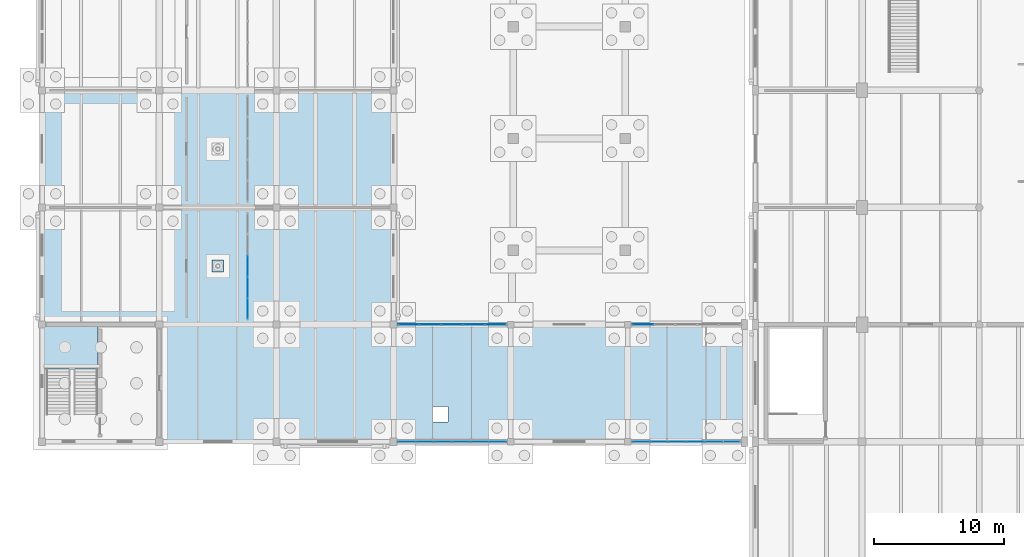
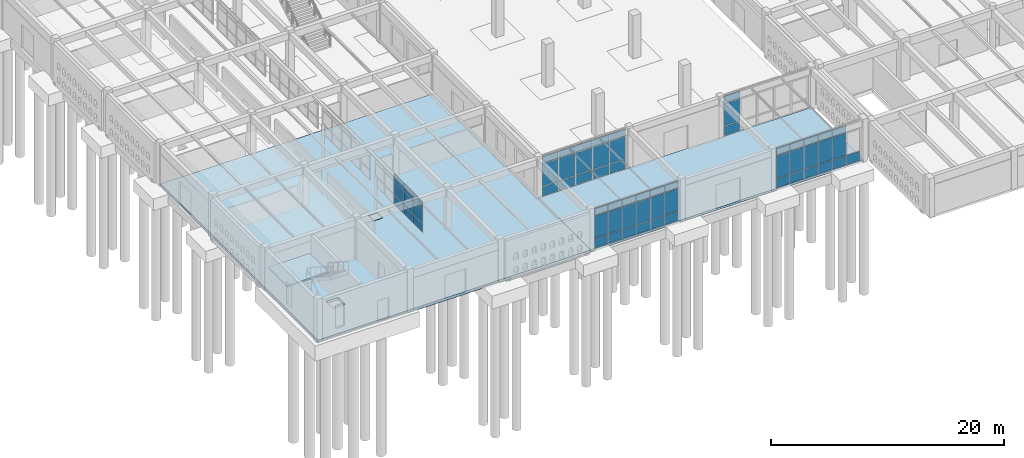
# One storey, part 141 of 186: 62 plates, 3 slabs, 6 elements without a shape of their own.
"""IFC4 building model written with IfcOpenShell, lengths in metres."""

from ifc_helpers import new_model, si_unit, direction, frame, origin, origin_2d, place, context, subcontext, project, spatial, polyline, rectangle, outline, extrude, material, layer, layer_set, type_object, element, aggregate, save


model = new_model("IFC4")

# Units and contexts
model_context = context("Model", 3, precision=1e-05, world=origin(), true_north=direction((0.0, 1.0)))
body_context = subcontext(model_context, "Body", "Model", "MODEL_VIEW")
ifc_project = project(units=[si_unit("LENGTHUNIT", "METRE"), si_unit("AREAUNIT", "SQUARE_METRE"), si_unit("VOLUMEUNIT", "CUBIC_METRE"), si_unit("PLANEANGLEUNIT", "RADIAN"), si_unit("MASSUNIT", "GRAM", prefix="KILO")], contexts=[model_context])

# Site, building, storey
site_placement = place(None, origin())
site = spatial("IfcSite", under=ifc_project, at=site_placement, CompositionType="ELEMENT")
building_placement = place(site_placement, origin())
building = spatial("IfcBuilding", under=site, at=building_placement, Name="Ornek Quay Market", CompositionType="ELEMENT")
storey_placement = place(building_placement, origin())
storey = spatial("IfcBuildingStorey", under=building, at=storey_placement, Name="L00", CompositionType="ELEMENT", Elevation=0.0)

# Plate
ifc_material_1 = material(Name="Steel S355", Category="steel")
ifc_layer_1 = layer(ifc_material_1, 0.89990234375, Name="Steel S355", Category="steel")
ifc_layer_set_1 = layer_set([ifc_layer_1], Name="Steel S355")
plate_type_1 = type_object("IfcPlateType", Name="PL-BASE-900x900x40", PredefinedType="SHEET", material=ifc_layer_set_1)
plate_1_placement = place(storey_placement, frame((13.5, 33.5, -0.0400390625), z_axis=(0.0, 0.0, 1.0), x_axis=(1.0, 0.0, 0.0)))
element("IfcPlate", 1, at=plate_1_placement, inside=storey, type_object=plate_type_1, Name="Column base plate BP-07", PredefinedType="SHEET", context=body_context, shape_type="SweptSolid", body=[
    extrude(rectangle(XDim=0.89990234375, YDim=0.89990234375, at=origin_2d()), origin(), (0.0, 0.0, 1.0), 0.0400390625),
])

# Curtain wall, plates
ifc_material_2 = material(Name="Anodised bronze aluminium and triple low-e glass", Category="aluminium")
ifc_layer_2 = layer(ifc_material_2, 0.179931640625, Name="Anodised bronze aluminium and triple low-e glass", Category="aluminium")
ifc_layer_set_2 = layer_set([ifc_layer_2], Name="Anodised bronze aluminium and triple low-e glass")
curtain_wall_type_1 = type_object("IfcCurtainWallType", Name="CW-CONC-MOD1500", PredefinedType="USERDEFINED", material=ifc_layer_set_2)
curtain_wall_1_placement = place(storey_placement, origin())
curtain_wall_1 = element("IfcCurtainWall", 2, at=curtain_wall_1_placement, inside=storey, type_object=curtain_wall_type_1, Name="Curtain wall CW-134", ObjectType="CURTAIN WALL", PredefinedType="USERDEFINED")
ifc_material_3 = material(Name="Toughened laminated acoustic glass", Category="glass")
ifc_layer_3 = layer(ifc_material_3, 0.01611328125, Name="Toughened laminated acoustic glass", Category="glass")
ifc_layer_set_3 = layer_set([ifc_layer_3], Name="Toughened laminated acoustic glass")
plate_type_2 = type_object("IfcPlateType", Name="PL-CW-INT-16", PredefinedType="CURTAIN_PANEL", material=ifc_layer_set_3)
plate_2_placement = place(storey_placement, frame((15.800048828125, 30.235107421875, 0.06005859375), z_axis=(0.0, 0.0, 1.0), x_axis=(0.0, 1.0, 0.0)))
plate_2 = element("IfcPlate", 3, at=plate_2_placement, type_object=plate_type_2, Name="CW-134 panel 1.1", PredefinedType="CURTAIN_PANEL", context=body_context, shape_type="SweptSolid", body=[
    extrude(rectangle(XDim=1.550048828125, YDim=0.01611328125, at=origin_2d()), origin(), (0.0, 0.0, 1.0), 0.9599609375),
])
plate_3_placement = place(storey_placement, frame((15.800048828125, 30.235107421875, 1.080078125), z_axis=(0.0, 0.0, 1.0), x_axis=(0.0, 1.0, 0.0)))
plate_3 = element("IfcPlate", 4, at=plate_3_placement, type_object=plate_type_2, Name="CW-134 panel 1.2", PredefinedType="CURTAIN_PANEL", context=body_context, shape_type="SweptSolid", body=[
    extrude(rectangle(XDim=1.550048828125, YDim=0.01611328125, at=origin_2d()), origin(), (0.0, 0.0, 1.0), 1.340087890625),
])
plate_4_placement = place(storey_placement, frame((15.800048828125, 30.235107421875, 2.47998046875), z_axis=(0.0, 0.0, 1.0), x_axis=(0.0, 1.0, 0.0)))
plate_4 = element("IfcPlate", 5, at=plate_4_placement, type_object=plate_type_2, Name="CW-134 panel 1.3", PredefinedType="CURTAIN_PANEL", context=body_context, shape_type="SweptSolid", body=[
    extrude(rectangle(XDim=1.550048828125, YDim=0.01611328125, at=origin_2d()), origin(), (0.0, 0.0, 1.0), 0.760009765625),
])
plate_5_placement = place(storey_placement, frame((15.800048828125, 31.860107421875, 0.06005859375), z_axis=(0.0, 0.0, 1.0), x_axis=(0.0, 1.0, 0.0)))
plate_5 = element("IfcPlate", 6, at=plate_5_placement, type_object=plate_type_2, Name="CW-134 panel 2.1", PredefinedType="CURTAIN_PANEL", context=body_context, shape_type="SweptSolid", body=[
    extrude(rectangle(XDim=1.580078125, YDim=0.01611328125, at=origin_2d()), origin(), (0.0, 0.0, 1.0), 0.9599609375),
])
plate_6_placement = place(storey_placement, frame((15.800048828125, 31.860107421875, 1.080078125), z_axis=(0.0, 0.0, 1.0), x_axis=(0.0, 1.0, 0.0)))
plate_6 = element("IfcPlate", 7, at=plate_6_placement, type_object=plate_type_2, Name="CW-134 panel 2.2", PredefinedType="CURTAIN_PANEL", context=body_context, shape_type="SweptSolid", body=[
    extrude(rectangle(XDim=1.580078125, YDim=0.01611328125, at=origin_2d()), origin(), (0.0, 0.0, 1.0), 1.340087890625),
])
plate_7_placement = place(storey_placement, frame((15.800048828125, 31.860107421875, 2.47998046875), z_axis=(0.0, 0.0, 1.0), x_axis=(0.0, 1.0, 0.0)))
plate_7 = element("IfcPlate", 8, at=plate_7_placement, type_object=plate_type_2, Name="CW-134 panel 2.3", PredefinedType="CURTAIN_PANEL", context=body_context, shape_type="SweptSolid", body=[
    extrude(rectangle(XDim=1.580078125, YDim=0.01611328125, at=origin_2d()), origin(), (0.0, 0.0, 1.0), 0.760009765625),
])
plate_8_placement = place(storey_placement, frame((15.800048828125, 33.5, 0.06005859375), z_axis=(0.0, 0.0, 1.0), x_axis=(0.0, 1.0, 0.0)))
plate_8 = element("IfcPlate", 9, at=plate_8_placement, type_object=plate_type_2, Name="CW-134 panel 3.1", PredefinedType="CURTAIN_PANEL", context=body_context, shape_type="SweptSolid", body=[
    extrude(rectangle(XDim=1.580078125, YDim=0.01611328125, at=origin_2d()), origin(), (0.0, 0.0, 1.0), 0.9599609375),
])
plate_9_placement = place(storey_placement, frame((15.800048828125, 33.5, 1.080078125), z_axis=(0.0, 0.0, 1.0), x_axis=(0.0, 1.0, 0.0)))
plate_9 = element("IfcPlate", 10, at=plate_9_placement, type_object=plate_type_2, Name="CW-134 panel 3.2", PredefinedType="CURTAIN_PANEL", context=body_context, shape_type="SweptSolid", body=[
    extrude(rectangle(XDim=1.580078125, YDim=0.01611328125, at=origin_2d()), origin(), (0.0, 0.0, 1.0), 1.340087890625),
])
plate_10_placement = place(storey_placement, frame((15.800048828125, 33.5, 2.47998046875), z_axis=(0.0, 0.0, 1.0), x_axis=(0.0, 1.0, 0.0)))
plate_10 = element("IfcPlate", 11, at=plate_10_placement, type_object=plate_type_2, Name="CW-134 panel 3.3", PredefinedType="CURTAIN_PANEL", context=body_context, shape_type="SweptSolid", body=[
    extrude(rectangle(XDim=1.580078125, YDim=0.01611328125, at=origin_2d()), origin(), (0.0, 0.0, 1.0), 0.760009765625),
])
aggregate(curtain_wall_1, [plate_2, plate_3, plate_4, plate_5, plate_6, plate_7, plate_8, plate_9, plate_10])

curtain_wall_2_placement = place(storey_placement, origin())
curtain_wall_2 = element("IfcCurtainWall", 12, at=curtain_wall_2_placement, inside=storey, type_object=curtain_wall_type_1, Name="Curtain wall CW-008", ObjectType="CURTAIN WALL", PredefinedType="USERDEFINED")
ifc_material_4 = material(Name="Triple insulated low-e glass", Category="glass")
ifc_layer_4 = layer(ifc_material_4, 0.035888671875, Name="Triple insulated low-e glass", Category="glass")
ifc_layer_set_4 = layer_set([ifc_layer_4], Name="Triple insulated low-e glass")
plate_type_3 = type_object("IfcPlateType", Name="PL-CW-TRIPLE-36", PredefinedType="CURTAIN_PANEL", material=ifc_layer_set_4)
plate_11_placement = place(storey_placement, frame((28.014892578125, 20.0, 0.06005859375), z_axis=(0.0, 0.0, 1.0), x_axis=(1.0, 0.0, 0.0)))
plate_11 = element("IfcPlate", 13, at=plate_11_placement, type_object=plate_type_3, Name="CW-008 panel 1.1", PredefinedType="CURTAIN_PANEL", context=body_context, shape_type="SweptSolid", body=[
    extrude(rectangle(XDim=1.31005859375, YDim=0.035888671875, at=origin_2d()), origin(), (0.0, 0.0, 1.0), 0.9599609375),
])
plate_12_placement = place(storey_placement, frame((28.014892578125, 20.0, 1.080078125), z_axis=(0.0, 0.0, 1.0), x_axis=(1.0, 0.0, 0.0)))
plate_12 = element("IfcPlate", 14, at=plate_12_placement, type_object=plate_type_3, Name="CW-008 panel 1.2", PredefinedType="CURTAIN_PANEL", context=body_context, shape_type="SweptSolid", body=[
    extrude(rectangle(XDim=1.31005859375, YDim=0.035888671875, at=origin_2d()), origin(), (0.0, 0.0, 1.0), 2.31005859375),
])
plate_13_placement = place(storey_placement, frame((28.014892578125, 20.0, 3.4501953125), z_axis=(0.0, 0.0, 1.0), x_axis=(1.0, 0.0, 0.0)))
plate_13 = element("IfcPlate", 15, at=plate_13_placement, type_object=plate_type_3, Name="CW-008 panel 1.3", PredefinedType="CURTAIN_PANEL", context=body_context, shape_type="SweptSolid", body=[
    extrude(rectangle(XDim=1.31005859375, YDim=0.035888671875, at=origin_2d()), origin(), (0.0, 0.0, 1.0), 0.760009765625),
])
plate_14_placement = place(storey_placement, frame((29.39990234375, 20.0, 0.06005859375), z_axis=(0.0, 0.0, 1.0), x_axis=(1.0, 0.0, 0.0)))
plate_14 = element("IfcPlate", 16, at=plate_14_placement, type_object=plate_type_3, Name="CW-008 panel 2.1", PredefinedType="CURTAIN_PANEL", context=body_context, shape_type="SweptSolid", body=[
    extrude(rectangle(XDim=1.340087890625, YDim=0.035888671875, at=origin_2d()), origin(), (0.0, 0.0, 1.0), 0.9599609375),
])
plate_15_placement = place(storey_placement, frame((29.39990234375, 20.0, 1.080078125), z_axis=(0.0, 0.0, 1.0), x_axis=(1.0, 0.0, 0.0)))
plate_15 = element("IfcPlate", 17, at=plate_15_placement, type_object=plate_type_3, Name="CW-008 panel 2.2", PredefinedType="CURTAIN_PANEL", context=body_context, shape_type="SweptSolid", body=[
    extrude(rectangle(XDim=1.340087890625, YDim=0.035888671875, at=origin_2d()), origin(), (0.0, 0.0, 1.0), 2.31005859375),
])
plate_16_placement = place(storey_placement, frame((29.39990234375, 20.0, 3.4501953125), z_axis=(0.0, 0.0, 1.0), x_axis=(1.0, 0.0, 0.0)))
plate_16 = element("IfcPlate", 18, at=plate_16_placement, type_object=plate_type_3, Name="CW-008 panel 2.3", PredefinedType="CURTAIN_PANEL", context=body_context, shape_type="SweptSolid", body=[
    extrude(rectangle(XDim=1.340087890625, YDim=0.035888671875, at=origin_2d()), origin(), (0.0, 0.0, 1.0), 0.760009765625),
])
plate_17_placement = place(storey_placement, frame((30.800048828125, 20.0, 0.06005859375), z_axis=(0.0, 0.0, 1.0), x_axis=(1.0, 0.0, 0.0)))
plate_17 = element("IfcPlate", 19, at=plate_17_placement, type_object=plate_type_3, Name="CW-008 panel 3.1", PredefinedType="CURTAIN_PANEL", context=body_context, shape_type="SweptSolid", body=[
    extrude(rectangle(XDim=1.340087890625, YDim=0.035888671875, at=origin_2d()), origin(), (0.0, 0.0, 1.0), 0.9599609375),
])
plate_18_placement = place(storey_placement, frame((30.800048828125, 20.0, 1.080078125), z_axis=(0.0, 0.0, 1.0), x_axis=(1.0, 0.0, 0.0)))
plate_18 = element("IfcPlate", 20, at=plate_18_placement, type_object=plate_type_3, Name="CW-008 panel 3.2", PredefinedType="CURTAIN_PANEL", context=body_context, shape_type="SweptSolid", body=[
    extrude(rectangle(XDim=1.340087890625, YDim=0.035888671875, at=origin_2d()), origin(), (0.0, 0.0, 1.0), 2.31005859375),
])
plate_19_placement = place(storey_placement, frame((30.800048828125, 20.0, 3.4501953125), z_axis=(0.0, 0.0, 1.0), x_axis=(1.0, 0.0, 0.0)))
plate_19 = element("IfcPlate", 21, at=plate_19_placement, type_object=plate_type_3, Name="CW-008 panel 3.3", PredefinedType="CURTAIN_PANEL", context=body_context, shape_type="SweptSolid", body=[
    extrude(rectangle(XDim=1.340087890625, YDim=0.035888671875, at=origin_2d()), origin(), (0.0, 0.0, 1.0), 0.760009765625),
])
plate_20_placement = place(storey_placement, frame((32.199951171875, 20.0, 0.06005859375), z_axis=(0.0, 0.0, 1.0), x_axis=(1.0, 0.0, 0.0)))
plate_20 = element("IfcPlate", 22, at=plate_20_placement, type_object=plate_type_3, Name="CW-008 panel 4.1", PredefinedType="CURTAIN_PANEL", context=body_context, shape_type="SweptSolid", body=[
    extrude(rectangle(XDim=1.340087890625, YDim=0.035888671875, at=origin_2d()), origin(), (0.0, 0.0, 1.0), 0.9599609375),
])
plate_21_placement = place(storey_placement, frame((32.199951171875, 20.0, 1.080078125), z_axis=(0.0, 0.0, 1.0), x_axis=(1.0, 0.0, 0.0)))
plate_21 = element("IfcPlate", 23, at=plate_21_placement, type_object=plate_type_3, Name="CW-008 panel 4.2", PredefinedType="CURTAIN_PANEL", context=body_context, shape_type="SweptSolid", body=[
    extrude(rectangle(XDim=1.340087890625, YDim=0.035888671875, at=origin_2d()), origin(), (0.0, 0.0, 1.0), 2.31005859375),
])
plate_22_placement = place(storey_placement, frame((32.199951171875, 20.0, 3.4501953125), z_axis=(0.0, 0.0, 1.0), x_axis=(1.0, 0.0, 0.0)))
plate_22 = element("IfcPlate", 24, at=plate_22_placement, type_object=plate_type_3, Name="CW-008 panel 4.3", PredefinedType="CURTAIN_PANEL", context=body_context, shape_type="SweptSolid", body=[
    extrude(rectangle(XDim=1.340087890625, YDim=0.035888671875, at=origin_2d()), origin(), (0.0, 0.0, 1.0), 0.760009765625),
])
plate_23_placement = place(storey_placement, frame((33.60009765625, 20.0, 0.06005859375), z_axis=(0.0, 0.0, 1.0), x_axis=(1.0, 0.0, 0.0)))
plate_23 = element("IfcPlate", 25, at=plate_23_placement, type_object=plate_type_3, Name="CW-008 panel 5.1", PredefinedType="CURTAIN_PANEL", context=body_context, shape_type="SweptSolid", body=[
    extrude(rectangle(XDim=1.340087890625, YDim=0.035888671875, at=origin_2d()), origin(), (0.0, 0.0, 1.0), 0.9599609375),
])
plate_24_placement = place(storey_placement, frame((33.60009765625, 20.0, 1.080078125), z_axis=(0.0, 0.0, 1.0), x_axis=(1.0, 0.0, 0.0)))
plate_24 = element("IfcPlate", 26, at=plate_24_placement, type_object=plate_type_3, Name="CW-008 panel 5.2", PredefinedType="CURTAIN_PANEL", context=body_context, shape_type="SweptSolid", body=[
    extrude(rectangle(XDim=1.340087890625, YDim=0.035888671875, at=origin_2d()), origin(), (0.0, 0.0, 1.0), 2.31005859375),
])
plate_25_placement = place(storey_placement, frame((33.60009765625, 20.0, 3.4501953125), z_axis=(0.0, 0.0, 1.0), x_axis=(1.0, 0.0, 0.0)))
plate_25 = element("IfcPlate", 27, at=plate_25_placement, type_object=plate_type_3, Name="CW-008 panel 5.3", PredefinedType="CURTAIN_PANEL", context=body_context, shape_type="SweptSolid", body=[
    extrude(rectangle(XDim=1.340087890625, YDim=0.035888671875, at=origin_2d()), origin(), (0.0, 0.0, 1.0), 0.760009765625),
])
plate_26_placement = place(storey_placement, frame((34.985107421875, 20.0, 0.06005859375), z_axis=(0.0, 0.0, 1.0), x_axis=(1.0, 0.0, 0.0)))
plate_26 = element("IfcPlate", 28, at=plate_26_placement, type_object=plate_type_3, Name="CW-008 panel 6.1", PredefinedType="CURTAIN_PANEL", context=body_context, shape_type="SweptSolid", body=[
    extrude(rectangle(XDim=1.31005859375, YDim=0.035888671875, at=origin_2d()), origin(), (0.0, 0.0, 1.0), 0.9599609375),
])
plate_27_placement = place(storey_placement, frame((34.985107421875, 20.0, 1.080078125), z_axis=(0.0, 0.0, 1.0), x_axis=(1.0, 0.0, 0.0)))
plate_27 = element("IfcPlate", 29, at=plate_27_placement, type_object=plate_type_3, Name="CW-008 panel 6.2", PredefinedType="CURTAIN_PANEL", context=body_context, shape_type="SweptSolid", body=[
    extrude(rectangle(XDim=1.31005859375, YDim=0.035888671875, at=origin_2d()), origin(), (0.0, 0.0, 1.0), 2.31005859375),
])
plate_28_placement = place(storey_placement, frame((34.985107421875, 20.0, 3.4501953125), z_axis=(0.0, 0.0, 1.0), x_axis=(1.0, 0.0, 0.0)))
plate_28 = element("IfcPlate", 30, at=plate_28_placement, type_object=plate_type_3, Name="CW-008 panel 6.3", PredefinedType="CURTAIN_PANEL", context=body_context, shape_type="SweptSolid", body=[
    extrude(rectangle(XDim=1.31005859375, YDim=0.035888671875, at=origin_2d()), origin(), (0.0, 0.0, 1.0), 0.760009765625),
])
aggregate(curtain_wall_2, [plate_11, plate_12, plate_13, plate_14, plate_15, plate_16, plate_17, plate_18, plate_19, plate_20, plate_21, plate_22, plate_23, plate_24, plate_25, plate_26, plate_27, plate_28])

curtain_wall_3_placement = place(storey_placement, origin())
curtain_wall_3 = element("IfcCurtainWall", 31, at=curtain_wall_3_placement, inside=storey, type_object=curtain_wall_type_1, Name="Curtain wall CW-012", ObjectType="CURTAIN WALL", PredefinedType="USERDEFINED")
plate_29_placement = place(storey_placement, frame((46.014892578125, 20.0, 0.06005859375), z_axis=(0.0, 0.0, 1.0), x_axis=(1.0, 0.0, 0.0)))
plate_29 = element("IfcPlate", 32, at=plate_29_placement, type_object=plate_type_3, Name="CW-012 panel 1.1", PredefinedType="CURTAIN_PANEL", context=body_context, shape_type="SweptSolid", body=[
    extrude(rectangle(XDim=1.31005859375, YDim=0.035888671875, at=origin_2d()), origin(), (0.0, 0.0, 1.0), 0.9599609375),
])
plate_30_placement = place(storey_placement, frame((46.014892578125, 20.0, 1.080078125), z_axis=(0.0, 0.0, 1.0), x_axis=(1.0, 0.0, 0.0)))
plate_30 = element("IfcPlate", 33, at=plate_30_placement, type_object=plate_type_3, Name="CW-012 panel 1.2", PredefinedType="CURTAIN_PANEL", context=body_context, shape_type="SweptSolid", body=[
    extrude(rectangle(XDim=1.31005859375, YDim=0.035888671875, at=origin_2d()), origin(), (0.0, 0.0, 1.0), 2.31005859375),
])
plate_31_placement = place(storey_placement, frame((46.014892578125, 20.0, 3.4501953125), z_axis=(0.0, 0.0, 1.0), x_axis=(1.0, 0.0, 0.0)))
plate_31 = element("IfcPlate", 34, at=plate_31_placement, type_object=plate_type_3, Name="CW-012 panel 1.3", PredefinedType="CURTAIN_PANEL", context=body_context, shape_type="SweptSolid", body=[
    extrude(rectangle(XDim=1.31005859375, YDim=0.035888671875, at=origin_2d()), origin(), (0.0, 0.0, 1.0), 0.760009765625),
])
plate_32_placement = place(storey_placement, frame((47.39990234375, 20.0, 0.06005859375), z_axis=(0.0, 0.0, 1.0), x_axis=(1.0, 0.0, 0.0)))
plate_32 = element("IfcPlate", 35, at=plate_32_placement, type_object=plate_type_3, Name="CW-012 panel 2.1", PredefinedType="CURTAIN_PANEL", context=body_context, shape_type="SweptSolid", body=[
    extrude(rectangle(XDim=1.340087890625, YDim=0.035888671875, at=origin_2d()), origin(), (0.0, 0.0, 1.0), 0.9599609375),
])
plate_33_placement = place(storey_placement, frame((47.39990234375, 20.0, 1.080078125), z_axis=(0.0, 0.0, 1.0), x_axis=(1.0, 0.0, 0.0)))
plate_33 = element("IfcPlate", 36, at=plate_33_placement, type_object=plate_type_3, Name="CW-012 panel 2.2", PredefinedType="CURTAIN_PANEL", context=body_context, shape_type="SweptSolid", body=[
    extrude(rectangle(XDim=1.340087890625, YDim=0.035888671875, at=origin_2d()), origin(), (0.0, 0.0, 1.0), 2.31005859375),
])
plate_34_placement = place(storey_placement, frame((47.39990234375, 20.0, 3.4501953125), z_axis=(0.0, 0.0, 1.0), x_axis=(1.0, 0.0, 0.0)))
plate_34 = element("IfcPlate", 37, at=plate_34_placement, type_object=plate_type_3, Name="CW-012 panel 2.3", PredefinedType="CURTAIN_PANEL", context=body_context, shape_type="SweptSolid", body=[
    extrude(rectangle(XDim=1.340087890625, YDim=0.035888671875, at=origin_2d()), origin(), (0.0, 0.0, 1.0), 0.760009765625),
])
plate_35_placement = place(storey_placement, frame((48.800048828125, 20.0, 0.06005859375), z_axis=(0.0, 0.0, 1.0), x_axis=(1.0, 0.0, 0.0)))
plate_35 = element("IfcPlate", 38, at=plate_35_placement, type_object=plate_type_3, Name="CW-012 panel 3.1", PredefinedType="CURTAIN_PANEL", context=body_context, shape_type="SweptSolid", body=[
    extrude(rectangle(XDim=1.340087890625, YDim=0.035888671875, at=origin_2d()), origin(), (0.0, 0.0, 1.0), 0.9599609375),
])
plate_36_placement = place(storey_placement, frame((48.800048828125, 20.0, 1.080078125), z_axis=(0.0, 0.0, 1.0), x_axis=(1.0, 0.0, 0.0)))
plate_36 = element("IfcPlate", 39, at=plate_36_placement, type_object=plate_type_3, Name="CW-012 panel 3.2", PredefinedType="CURTAIN_PANEL", context=body_context, shape_type="SweptSolid", body=[
    extrude(rectangle(XDim=1.340087890625, YDim=0.035888671875, at=origin_2d()), origin(), (0.0, 0.0, 1.0), 2.31005859375),
])
plate_37_placement = place(storey_placement, frame((48.800048828125, 20.0, 3.4501953125), z_axis=(0.0, 0.0, 1.0), x_axis=(1.0, 0.0, 0.0)))
plate_37 = element("IfcPlate", 40, at=plate_37_placement, type_object=plate_type_3, Name="CW-012 panel 3.3", PredefinedType="CURTAIN_PANEL", context=body_context, shape_type="SweptSolid", body=[
    extrude(rectangle(XDim=1.340087890625, YDim=0.035888671875, at=origin_2d()), origin(), (0.0, 0.0, 1.0), 0.760009765625),
])
plate_38_placement = place(storey_placement, frame((50.199951171875, 20.0, 0.06005859375), z_axis=(0.0, 0.0, 1.0), x_axis=(1.0, 0.0, 0.0)))
plate_38 = element("IfcPlate", 41, at=plate_38_placement, type_object=plate_type_3, Name="CW-012 panel 4.1", PredefinedType="CURTAIN_PANEL", context=body_context, shape_type="SweptSolid", body=[
    extrude(rectangle(XDim=1.340087890625, YDim=0.035888671875, at=origin_2d()), origin(), (0.0, 0.0, 1.0), 0.9599609375),
])
plate_39_placement = place(storey_placement, frame((50.199951171875, 20.0, 1.080078125), z_axis=(0.0, 0.0, 1.0), x_axis=(1.0, 0.0, 0.0)))
plate_39 = element("IfcPlate", 42, at=plate_39_placement, type_object=plate_type_3, Name="CW-012 panel 4.2", PredefinedType="CURTAIN_PANEL", context=body_context, shape_type="SweptSolid", body=[
    extrude(rectangle(XDim=1.340087890625, YDim=0.035888671875, at=origin_2d()), origin(), (0.0, 0.0, 1.0), 2.31005859375),
])
plate_40_placement = place(storey_placement, frame((50.199951171875, 20.0, 3.4501953125), z_axis=(0.0, 0.0, 1.0), x_axis=(1.0, 0.0, 0.0)))
plate_40 = element("IfcPlate", 43, at=plate_40_placement, type_object=plate_type_3, Name="CW-012 panel 4.3", PredefinedType="CURTAIN_PANEL", context=body_context, shape_type="SweptSolid", body=[
    extrude(rectangle(XDim=1.340087890625, YDim=0.035888671875, at=origin_2d()), origin(), (0.0, 0.0, 1.0), 0.760009765625),
])
plate_41_placement = place(storey_placement, frame((51.60009765625, 20.0, 0.06005859375), z_axis=(0.0, 0.0, 1.0), x_axis=(1.0, 0.0, 0.0)))
plate_41 = element("IfcPlate", 44, at=plate_41_placement, type_object=plate_type_3, Name="CW-012 panel 5.1", PredefinedType="CURTAIN_PANEL", context=body_context, shape_type="SweptSolid", body=[
    extrude(rectangle(XDim=1.340087890625, YDim=0.035888671875, at=origin_2d()), origin(), (0.0, 0.0, 1.0), 0.9599609375),
])
plate_42_placement = place(storey_placement, frame((51.60009765625, 20.0, 1.080078125), z_axis=(0.0, 0.0, 1.0), x_axis=(1.0, 0.0, 0.0)))
plate_42 = element("IfcPlate", 45, at=plate_42_placement, type_object=plate_type_3, Name="CW-012 panel 5.2", PredefinedType="CURTAIN_PANEL", context=body_context, shape_type="SweptSolid", body=[
    extrude(rectangle(XDim=1.340087890625, YDim=0.035888671875, at=origin_2d()), origin(), (0.0, 0.0, 1.0), 2.31005859375),
])
plate_43_placement = place(storey_placement, frame((51.60009765625, 20.0, 3.4501953125), z_axis=(0.0, 0.0, 1.0), x_axis=(1.0, 0.0, 0.0)))
plate_43 = element("IfcPlate", 46, at=plate_43_placement, type_object=plate_type_3, Name="CW-012 panel 5.3", PredefinedType="CURTAIN_PANEL", context=body_context, shape_type="SweptSolid", body=[
    extrude(rectangle(XDim=1.340087890625, YDim=0.035888671875, at=origin_2d()), origin(), (0.0, 0.0, 1.0), 0.760009765625),
])
plate_44_placement = place(storey_placement, frame((52.985107421875, 20.0, 0.06005859375), z_axis=(0.0, 0.0, 1.0), x_axis=(1.0, 0.0, 0.0)))
plate_44 = element("IfcPlate", 47, at=plate_44_placement, type_object=plate_type_3, Name="CW-012 panel 6.1", PredefinedType="CURTAIN_PANEL", context=body_context, shape_type="SweptSolid", body=[
    extrude(rectangle(XDim=1.31005859375, YDim=0.035888671875, at=origin_2d()), origin(), (0.0, 0.0, 1.0), 0.9599609375),
])
aggregate(curtain_wall_3, [plate_29, plate_30, plate_31, plate_32, plate_33, plate_34, plate_35, plate_36, plate_37, plate_38, plate_39, plate_40, plate_41, plate_42, plate_43, plate_44])

ifc_layer_5 = layer(ifc_material_2, 0.199951171875, Name="Anodised bronze aluminium and triple low-e glass", Category="aluminium")
ifc_layer_set_5 = layer_set([ifc_layer_5], Name="Anodised bronze aluminium and triple low-e glass")
curtain_wall_type_2 = type_object("IfcCurtainWallType", Name="CW-CONC-MOD1800", PredefinedType="USERDEFINED", material=ifc_layer_set_5)
curtain_wall_4_placement = place(storey_placement, origin())
curtain_wall_4 = element("IfcCurtainWall", 48, at=curtain_wall_4_placement, inside=storey, type_object=curtain_wall_type_2, Name="Curtain wall CW-007", ObjectType="CURTAIN WALL", PredefinedType="USERDEFINED")
ifc_layer_6 = layer(ifc_material_4, 0.0419921875, Name="Triple insulated low-e glass", Category="glass")
ifc_layer_set_6 = layer_set([ifc_layer_6], Name="Triple insulated low-e glass")
plate_type_4 = type_object("IfcPlateType", Name="PL-CW-TRIPLE-42", PredefinedType="CURTAIN_PANEL", material=ifc_layer_set_6)
plate_45_placement = place(storey_placement, frame((28.15625, 29.0, 0.06494140625), z_axis=(0.0, 0.0, 1.0), x_axis=(1.0, 0.0, 0.0)))
plate_45 = element("IfcPlate", 49, at=plate_45_placement, type_object=plate_type_4, Name="CW-007 panel 1.1", PredefinedType="CURTAIN_PANEL", context=body_context, shape_type="SweptSolid", body=[
    extrude(rectangle(XDim=1.58251953125, YDim=0.0419921875, at=origin_2d()), origin(), (0.0, 0.0, 1.0), 0.952392578125),
])
plate_46_placement = place(storey_placement, frame((28.15625, 29.0, 1.08251953125), z_axis=(0.0, 0.0, 1.0), x_axis=(1.0, 0.0, 0.0)))
plate_46 = element("IfcPlate", 50, at=plate_46_placement, type_object=plate_type_4, Name="CW-007 panel 1.2", PredefinedType="CURTAIN_PANEL", context=body_context, shape_type="SweptSolid", body=[
    extrude(rectangle(XDim=1.58251953125, YDim=0.0419921875, at=origin_2d()), origin(), (0.0, 0.0, 1.0), 2.304931640625),
])
plate_47_placement = place(storey_placement, frame((28.15625, 29.0, 3.45263671875), z_axis=(0.0, 0.0, 1.0), x_axis=(1.0, 0.0, 0.0)))
plate_47 = element("IfcPlate", 51, at=plate_47_placement, type_object=plate_type_4, Name="CW-007 panel 1.3", PredefinedType="CURTAIN_PANEL", context=body_context, shape_type="SweptSolid", body=[
    extrude(rectangle(XDim=1.58251953125, YDim=0.0419921875, at=origin_2d()), origin(), (0.0, 0.0, 1.0), 0.75244140625),
])
plate_48_placement = place(storey_placement, frame((29.820068359375, 29.0, 0.06494140625), z_axis=(0.0, 0.0, 1.0), x_axis=(1.0, 0.0, 0.0)))
plate_48 = element("IfcPlate", 52, at=plate_48_placement, type_object=plate_type_4, Name="CW-007 panel 2.1", PredefinedType="CURTAIN_PANEL", context=body_context, shape_type="SweptSolid", body=[
    extrude(rectangle(XDim=1.614990234375, YDim=0.0419921875, at=origin_2d()), origin(), (0.0, 0.0, 1.0), 0.952392578125),
])
plate_49_placement = place(storey_placement, frame((29.820068359375, 29.0, 1.08251953125), z_axis=(0.0, 0.0, 1.0), x_axis=(1.0, 0.0, 0.0)))
plate_49 = element("IfcPlate", 53, at=plate_49_placement, type_object=plate_type_4, Name="CW-007 panel 2.2", PredefinedType="CURTAIN_PANEL", context=body_context, shape_type="SweptSolid", body=[
    extrude(rectangle(XDim=1.614990234375, YDim=0.0419921875, at=origin_2d()), origin(), (0.0, 0.0, 1.0), 2.304931640625),
])
plate_50_placement = place(storey_placement, frame((29.820068359375, 29.0, 3.45263671875), z_axis=(0.0, 0.0, 1.0), x_axis=(1.0, 0.0, 0.0)))
plate_50 = element("IfcPlate", 54, at=plate_50_placement, type_object=plate_type_4, Name="CW-007 panel 2.3", PredefinedType="CURTAIN_PANEL", context=body_context, shape_type="SweptSolid", body=[
    extrude(rectangle(XDim=1.614990234375, YDim=0.0419921875, at=origin_2d()), origin(), (0.0, 0.0, 1.0), 0.75244140625),
])
plate_51_placement = place(storey_placement, frame((31.5, 29.0, 0.06494140625), z_axis=(0.0, 0.0, 1.0), x_axis=(1.0, 0.0, 0.0)))
plate_51 = element("IfcPlate", 55, at=plate_51_placement, type_object=plate_type_4, Name="CW-007 panel 3.1", PredefinedType="CURTAIN_PANEL", context=body_context, shape_type="SweptSolid", body=[
    extrude(rectangle(XDim=1.614990234375, YDim=0.0419921875, at=origin_2d()), origin(), (0.0, 0.0, 1.0), 0.952392578125),
])
plate_52_placement = place(storey_placement, frame((31.5, 29.0, 1.08251953125), z_axis=(0.0, 0.0, 1.0), x_axis=(1.0, 0.0, 0.0)))
plate_52 = element("IfcPlate", 56, at=plate_52_placement, type_object=plate_type_4, Name="CW-007 panel 3.2", PredefinedType="CURTAIN_PANEL", context=body_context, shape_type="SweptSolid", body=[
    extrude(rectangle(XDim=1.614990234375, YDim=0.0419921875, at=origin_2d()), origin(), (0.0, 0.0, 1.0), 2.304931640625),
])
plate_53_placement = place(storey_placement, frame((31.5, 29.0, 3.45263671875), z_axis=(0.0, 0.0, 1.0), x_axis=(1.0, 0.0, 0.0)))
plate_53 = element("IfcPlate", 57, at=plate_53_placement, type_object=plate_type_4, Name="CW-007 panel 3.3", PredefinedType="CURTAIN_PANEL", context=body_context, shape_type="SweptSolid", body=[
    extrude(rectangle(XDim=1.614990234375, YDim=0.0419921875, at=origin_2d()), origin(), (0.0, 0.0, 1.0), 0.75244140625),
])
plate_54_placement = place(storey_placement, frame((33.179931640625, 29.0, 0.06494140625), z_axis=(0.0, 0.0, 1.0), x_axis=(1.0, 0.0, 0.0)))
plate_54 = element("IfcPlate", 58, at=plate_54_placement, type_object=plate_type_4, Name="CW-007 panel 4.1", PredefinedType="CURTAIN_PANEL", context=body_context, shape_type="SweptSolid", body=[
    extrude(rectangle(XDim=1.614990234375, YDim=0.0419921875, at=origin_2d()), origin(), (0.0, 0.0, 1.0), 0.952392578125),
])
plate_55_placement = place(storey_placement, frame((33.179931640625, 29.0, 1.08251953125), z_axis=(0.0, 0.0, 1.0), x_axis=(1.0, 0.0, 0.0)))
plate_55 = element("IfcPlate", 59, at=plate_55_placement, type_object=plate_type_4, Name="CW-007 panel 4.2", PredefinedType="CURTAIN_PANEL", context=body_context, shape_type="SweptSolid", body=[
    extrude(rectangle(XDim=1.614990234375, YDim=0.0419921875, at=origin_2d()), origin(), (0.0, 0.0, 1.0), 2.304931640625),
])
plate_56_placement = place(storey_placement, frame((33.179931640625, 29.0, 3.45263671875), z_axis=(0.0, 0.0, 1.0), x_axis=(1.0, 0.0, 0.0)))
plate_56 = element("IfcPlate", 60, at=plate_56_placement, type_object=plate_type_4, Name="CW-007 panel 4.3", PredefinedType="CURTAIN_PANEL", context=body_context, shape_type="SweptSolid", body=[
    extrude(rectangle(XDim=1.614990234375, YDim=0.0419921875, at=origin_2d()), origin(), (0.0, 0.0, 1.0), 0.75244140625),
])
plate_57_placement = place(storey_placement, frame((34.84375, 29.0, 0.06494140625), z_axis=(0.0, 0.0, 1.0), x_axis=(1.0, 0.0, 0.0)))
plate_57 = element("IfcPlate", 61, at=plate_57_placement, type_object=plate_type_4, Name="CW-007 panel 5.1", PredefinedType="CURTAIN_PANEL", context=body_context, shape_type="SweptSolid", body=[
    extrude(rectangle(XDim=1.58251953125, YDim=0.0419921875, at=origin_2d()), origin(), (0.0, 0.0, 1.0), 0.952392578125),
])
plate_58_placement = place(storey_placement, frame((34.84375, 29.0, 1.08251953125), z_axis=(0.0, 0.0, 1.0), x_axis=(1.0, 0.0, 0.0)))
plate_58 = element("IfcPlate", 62, at=plate_58_placement, type_object=plate_type_4, Name="CW-007 panel 5.2", PredefinedType="CURTAIN_PANEL", context=body_context, shape_type="SweptSolid", body=[
    extrude(rectangle(XDim=1.58251953125, YDim=0.0419921875, at=origin_2d()), origin(), (0.0, 0.0, 1.0), 2.304931640625),
])
plate_59_placement = place(storey_placement, frame((34.84375, 29.0, 3.45263671875), z_axis=(0.0, 0.0, 1.0), x_axis=(1.0, 0.0, 0.0)))
plate_59 = element("IfcPlate", 63, at=plate_59_placement, type_object=plate_type_4, Name="CW-007 panel 5.3", PredefinedType="CURTAIN_PANEL", context=body_context, shape_type="SweptSolid", body=[
    extrude(rectangle(XDim=1.58251953125, YDim=0.0419921875, at=origin_2d()), origin(), (0.0, 0.0, 1.0), 0.75244140625),
])
aggregate(curtain_wall_4, [plate_45, plate_46, plate_47, plate_48, plate_49, plate_50, plate_51, plate_52, plate_53, plate_54, plate_55, plate_56, plate_57, plate_58, plate_59])

curtain_wall_5_placement = place(storey_placement, origin())
curtain_wall_5 = element("IfcCurtainWall", 64, at=curtain_wall_5_placement, inside=storey, type_object=curtain_wall_type_2, Name="Curtain wall CW-011", ObjectType="CURTAIN WALL", PredefinedType="USERDEFINED")
plate_60_placement = place(storey_placement, frame((46.15625, 29.0, 0.06494140625), z_axis=(0.0, 0.0, 1.0), x_axis=(1.0, 0.0, 0.0)))
plate_60 = element("IfcPlate", 65, at=plate_60_placement, type_object=plate_type_4, Name="CW-011 panel 1.1", PredefinedType="CURTAIN_PANEL", context=body_context, shape_type="SweptSolid", body=[
    extrude(rectangle(XDim=1.58251953125, YDim=0.0419921875, at=origin_2d()), origin(), (0.0, 0.0, 1.0), 0.952392578125),
])
plate_61_placement = place(storey_placement, frame((46.15625, 29.0, 1.08251953125), z_axis=(0.0, 0.0, 1.0), x_axis=(1.0, 0.0, 0.0)))
plate_61 = element("IfcPlate", 66, at=plate_61_placement, type_object=plate_type_4, Name="CW-011 panel 1.2", PredefinedType="CURTAIN_PANEL", context=body_context, shape_type="SweptSolid", body=[
    extrude(rectangle(XDim=1.58251953125, YDim=0.0419921875, at=origin_2d()), origin(), (0.0, 0.0, 1.0), 2.304931640625),
])
plate_62_placement = place(storey_placement, frame((46.15625, 29.0, 3.45263671875), z_axis=(0.0, 0.0, 1.0), x_axis=(1.0, 0.0, 0.0)))
plate_62 = element("IfcPlate", 67, at=plate_62_placement, type_object=plate_type_4, Name="CW-011 panel 1.3", PredefinedType="CURTAIN_PANEL", context=body_context, shape_type="SweptSolid", body=[
    extrude(rectangle(XDim=1.58251953125, YDim=0.0419921875, at=origin_2d()), origin(), (0.0, 0.0, 1.0), 0.75244140625),
])
aggregate(curtain_wall_5, [plate_60, plate_61, plate_62])

# Slabs
ifc_material_5 = material(Name="Concrete C35/45", Category="concrete")
ifc_layer_7 = layer(ifc_material_5, 0.22998046875, Name="Concrete C35/45", Category="concrete")
ifc_layer_set_7 = layer_set([ifc_layer_7], Name="Concrete C35/45")
slab_type_1 = type_object("IfcSlabType", Name="SL-FLR-CONC-230", PredefinedType="FLOOR", material=ifc_layer_set_7)
slab_1_placement = place(storey_placement, frame((0.0, 0.0, -0.22998046875)))
element("IfcSlab", 68, at=slab_1_placement, inside=storey, type_object=slab_type_1, Name="Slab S-007 (L00)", PredefinedType="FLOOR", context=body_context, shape_type="SweptSolid", body=[
    extrude(outline(polyline([(27.0, 20.0), (54.0, 20.0), (54.0, 29.0), (27.0, 29.0), (27.0, 20.0)]), holes=[polyline([(30.0, 22.699951171875), (31.199951171875, 22.699951171875), (31.199951171875, 21.5), (30.0, 21.5), (30.0, 22.699951171875)])]), origin(), (0.0, 0.0, 1.0), 0.22998046875),
])
ifc_layer_8 = layer(ifc_material_5, 0.280029296875, Name="Concrete C35/45", Category="concrete")
ifc_layer_set_8 = layer_set([ifc_layer_8], Name="Concrete C35/45")
slab_type_2 = type_object("IfcSlabType", Name="SL-FLR-WING-280", PredefinedType="FLOOR", material=ifc_layer_set_8)
slab_2_placement = place(storey_placement, frame((0.0, 0.0, -0.280029296875)))
element("IfcSlab", 69, at=slab_2_placement, inside=storey, type_object=slab_type_2, Name="Slab S-003 (L00)", PredefinedType="FLOOR", context=body_context, shape_type="SweptSolid", body=[
    extrude(outline(polyline([(0.0, 20.0), (27.0, 20.0), (27.0, 47.0), (0.0, 47.0), (0.0, 20.0)]), holes=[polyline([(3.5, 24.699951171875), (4.699951171875, 24.699951171875), (4.699951171875, 23.5), (3.5, 23.5), (3.5, 24.699951171875)])]), origin(), (0.0, 0.0, 1.0), 0.280029296875),
])

# Stair, slab
ifc_material_6 = material(Name="Precast concrete C40/50", Category="concrete")
stair_type = type_object("IfcStairType", Name="ST-CORE-L00-L01", PredefinedType="HALF_TURN_STAIR", material=ifc_material_6)
stair_placement = place(storey_placement, origin())
stair = element("IfcStair", 70, at=stair_placement, inside=storey, type_object=stair_type, Name="Core stair ST-02-L00 (L00 to L01)", PredefinedType="HALF_TURN_STAIR")
ifc_layer_9 = layer(ifc_material_6, 0.1650390625, Name="Precast concrete C40/50", Category="concrete")
ifc_layer_set_9 = layer_set([ifc_layer_9], Name="Precast concrete C40/50")
slab_type_3 = type_object("IfcSlabType", Name="SL-LND-165", PredefinedType="LANDING", material=ifc_layer_set_9)
slab_3_placement = place(storey_placement, frame((0.0, 0.0, 2.0849609375)))
slab_3 = element("IfcSlab", 71, at=slab_3_placement, type_object=slab_type_3, Name="ST-02-L00 landing 1", PredefinedType="LANDING", context=body_context, shape_type="SweptSolid", body=[
    extrude(outline(polyline([(0.159912109375, 25.592041015625), (4.300048828125, 25.592041015625), (4.300048828125, 28.840087890625), (0.159912109375, 28.840087890625), (0.159912109375, 25.592041015625)])), origin(), (0.0, 0.0, 1.0), 0.1650390625),
])
aggregate(stair, [slab_3])

save(model, "model.ifc")
